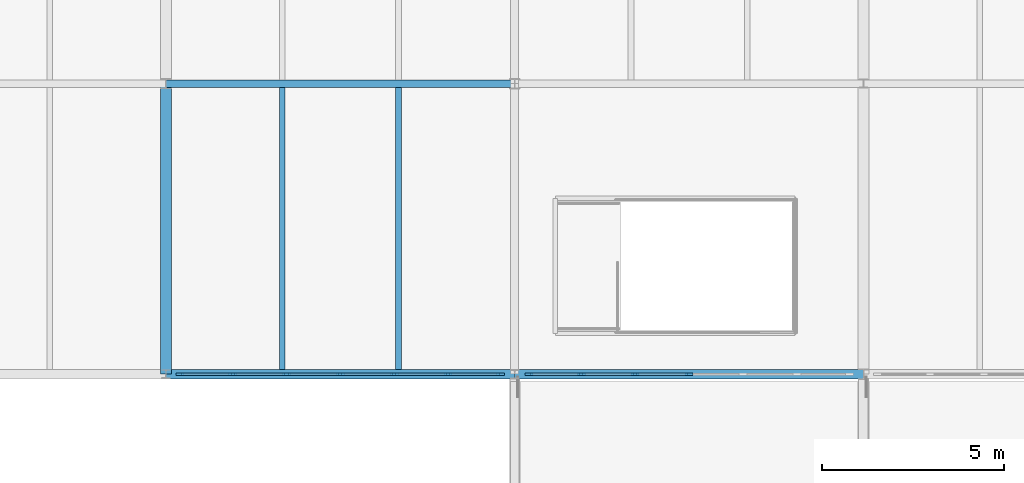
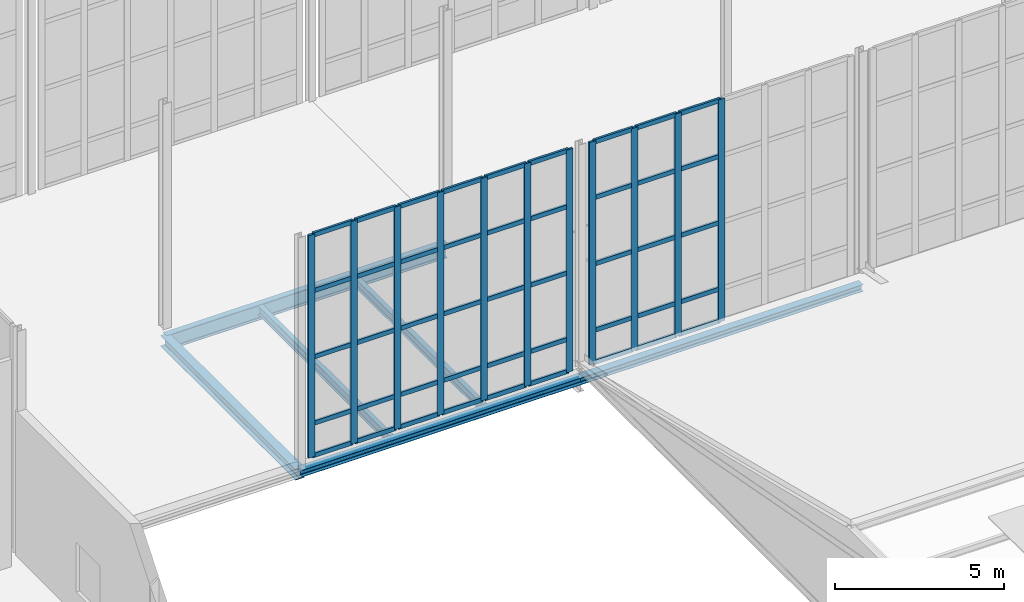
# One storey, part 35 of 73: 56 members, 6 beams, 2 elements without a shape of their own.
"""IFC4 building model written with IfcOpenShell, lengths in metres."""

from ifc_helpers import new_model, si_unit, direction, frame, origin, origin_2d, place, context, subcontext, project, spatial, rectangle, i_section, extrude, material, layer, layer_set, material_profile, profile_set, type_object, element, aggregate, save


model = new_model("IFC4")

# Units and contexts
model_context = context("Model", 3, precision=1e-05, world=origin(), true_north=direction((0.0, 1.0)))
body_context = subcontext(model_context, "Body", "Model", "MODEL_VIEW")
ifc_project = project(units=[si_unit("LENGTHUNIT", "METRE"), si_unit("AREAUNIT", "SQUARE_METRE"), si_unit("VOLUMEUNIT", "CUBIC_METRE"), si_unit("PLANEANGLEUNIT", "RADIAN"), si_unit("MASSUNIT", "GRAM", prefix="KILO")], contexts=[model_context])

# Site, building, storey
site_placement = place(None, origin())
site = spatial("IfcSite", under=ifc_project, at=site_placement, CompositionType="ELEMENT")
building_placement = place(site_placement, origin())
building = spatial("IfcBuilding", under=site, at=building_placement, Name="Alderhovde Museum", CompositionType="ELEMENT")
storey_placement = place(building_placement, frame((0.0, 0.0, 17.39990234375)))
storey = spatial("IfcBuildingStorey", under=building, at=storey_placement, Name="L04", CompositionType="ELEMENT", Elevation=17.39990234375)

# Beams
ifc_material_1 = material(Name="Steel S355J2", Category="steel")
ifc_material_profile_1 = material_profile(ifc_material_1, i_section(OverallWidth=0.300048828125, OverallDepth=0.389892578125, WebThickness=0.010986328125, FlangeThickness=0.01904296875, FilletRadius=0.027099609375, at=origin_2d()), Name="HEA 400")
ifc_profile_set_1 = profile_set([ifc_material_profile_1], Name="Steel S355J2")
beam_type_1 = type_object("IfcBeamType", Name="BM-HEA400", PredefinedType="BEAM", material=ifc_profile_set_1)
beam_1_placement = place(storey_placement, frame((67.199951171875, 72.0, -0.474853515625), z_axis=(0.0, 1.0, 0.0), x_axis=(-1.0, 0.0, 0.0)))
element("IfcBeam", 1, at=beam_1_placement, inside=storey, type_object=beam_type_1, Name="L04 Grid Beam X=67.2 (72.0 TO 80.0)", PredefinedType="BEAM", context=body_context, shape_type="SweptSolid", body=[
    extrude(i_section(OverallWidth=0.300048828125, OverallDepth=0.389892578125, WebThickness=0.010986328125, FlangeThickness=0.01904296875, FilletRadius=0.027099609375, at=origin_2d()), origin(), (0.0, 0.0, 1.0), 8.0),
])
ifc_material_2 = material(Name="Steel S355J2", Category="steel")
ifc_material_profile_2 = material_profile(ifc_material_2, i_section(OverallWidth=0.2099609375, OverallDepth=0.550048828125, WebThickness=0.010986328125, FlangeThickness=0.01708984375, FilletRadius=0.02392578125, at=origin_2d()), Name="IPE 550")
ifc_profile_set_2 = profile_set([ifc_material_profile_2], Name="Steel S355J2")
beam_type_2 = type_object("IfcBeamType", Name="BM-IPE550", PredefinedType="BEAM", material=ifc_profile_set_2)
beam_2_placement = place(storey_placement, frame((67.199951171875, 80.0, -0.554931640625), z_axis=(1.0, 0.0, 0.0), x_axis=(0.0, 1.0, 0.0)))
element("IfcBeam", 2, at=beam_2_placement, inside=storey, type_object=beam_type_2, Name="L04 Grid Beam Y=80.0 (67.2 TO 76.8)", PredefinedType="BEAM", context=body_context, shape_type="SweptSolid", body=[
    extrude(i_section(OverallWidth=0.2099609375, OverallDepth=0.550048828125, WebThickness=0.010986328125, FlangeThickness=0.01708984375, FilletRadius=0.02392578125, at=origin_2d()), origin(), (0.0, 0.0, 1.0), 9.60009765625),
])

# Curtain wall, members
ifc_material_3 = material(Name="Triple-Glazed Bronze-Anodised Curtain Wall", Category="glass")
ifc_layer_1 = layer(ifc_material_3, 0.219970703125)
ifc_layer_set_1 = layer_set([ifc_layer_1], Name="Triple-Glazed Bronze-Anodised Curtain Wall")
curtain_wall_type_1 = type_object("IfcCurtainWallType", Name="CW-STIC-890x805", PredefinedType="USERDEFINED", material=ifc_layer_set_1)
curtain_wall_1_placement = place(storey_placement, origin())
curtain_wall_1 = element("IfcCurtainWall", 3, at=curtain_wall_1_placement, inside=storey, type_object=curtain_wall_type_1, Name="L04 Stick Curtain Wall 80", ObjectType="STICK CURTAIN WALL", PredefinedType="USERDEFINED")
ifc_material_4 = material(Name="Bronze-Anodised Aluminium EN AW-6063-T6", Category="aluminium")
ifc_material_profile_3 = material_profile(ifc_material_4, rectangle(XDim=0.074951171875, YDim=0.219970703125, at=origin_2d()), Name="MULLION 75x220")
ifc_profile_set_3 = profile_set([ifc_material_profile_3], Name="Bronze-Anodised Aluminium EN AW-6063-T6")
member_type_1 = type_object("IfcMemberType", Name="CWM-75x220", PredefinedType="MULLION", material=ifc_profile_set_3)
member_1_placement = place(storey_placement, frame((67.58740234375, 72.0, 0.0), z_axis=(0.0, 0.0, 1.0), x_axis=(0.0, 1.0, 0.0)))
member_1 = element("IfcMember", 4, at=member_1_placement, type_object=member_type_1, Name="CW22 mullion 1", PredefinedType="MULLION", context=body_context, shape_type="SweptSolid", body=[
    extrude(rectangle(XDim=0.074951171875, YDim=0.219970703125, at=origin_2d()), origin(), (0.0, 0.0, 1.0), 8.050048828125),
])
member_2_placement = place(storey_placement, frame((69.033447265625, 72.0, 0.0), z_axis=(0.0, 0.0, 1.0), x_axis=(0.0, 1.0, 0.0)))
member_2 = element("IfcMember", 5, at=member_2_placement, type_object=member_type_1, Name="CW22 mullion 2", PredefinedType="MULLION", context=body_context, shape_type="SweptSolid", body=[
    extrude(rectangle(XDim=0.074951171875, YDim=0.219970703125, at=origin_2d()), origin(), (0.0, 0.0, 1.0), 8.050048828125),
])
member_3_placement = place(storey_placement, frame((70.5166015625, 72.0, 0.0), z_axis=(0.0, 0.0, 1.0), x_axis=(0.0, 1.0, 0.0)))
member_3 = element("IfcMember", 6, at=member_3_placement, type_object=member_type_1, Name="CW22 mullion 3", PredefinedType="MULLION", context=body_context, shape_type="SweptSolid", body=[
    extrude(rectangle(XDim=0.074951171875, YDim=0.219970703125, at=origin_2d()), origin(), (0.0, 0.0, 1.0), 8.050048828125),
])
member_4_placement = place(storey_placement, frame((72.0, 72.0, 0.0), z_axis=(0.0, 0.0, 1.0), x_axis=(0.0, 1.0, 0.0)))
member_4 = element("IfcMember", 7, at=member_4_placement, type_object=member_type_1, Name="CW22 mullion 4", PredefinedType="MULLION", context=body_context, shape_type="SweptSolid", body=[
    extrude(rectangle(XDim=0.074951171875, YDim=0.219970703125, at=origin_2d()), origin(), (0.0, 0.0, 1.0), 8.050048828125),
])
member_5_placement = place(storey_placement, frame((73.4833984375, 72.0, 0.0), z_axis=(0.0, 0.0, 1.0), x_axis=(0.0, 1.0, 0.0)))
member_5 = element("IfcMember", 8, at=member_5_placement, type_object=member_type_1, Name="CW22 mullion 5", PredefinedType="MULLION", context=body_context, shape_type="SweptSolid", body=[
    extrude(rectangle(XDim=0.074951171875, YDim=0.219970703125, at=origin_2d()), origin(), (0.0, 0.0, 1.0), 8.050048828125),
])
member_6_placement = place(storey_placement, frame((74.966552734375, 72.0, 0.0), z_axis=(0.0, 0.0, 1.0), x_axis=(0.0, 1.0, 0.0)))
member_6 = element("IfcMember", 9, at=member_6_placement, type_object=member_type_1, Name="CW22 mullion 6", PredefinedType="MULLION", context=body_context, shape_type="SweptSolid", body=[
    extrude(rectangle(XDim=0.074951171875, YDim=0.219970703125, at=origin_2d()), origin(), (0.0, 0.0, 1.0), 8.050048828125),
])
member_7_placement = place(storey_placement, frame((76.41259765625, 72.0, 0.0), z_axis=(0.0, 0.0, 1.0), x_axis=(0.0, 1.0, 0.0)))
member_7 = element("IfcMember", 10, at=member_7_placement, type_object=member_type_1, Name="CW22 mullion 7", PredefinedType="MULLION", context=body_context, shape_type="SweptSolid", body=[
    extrude(rectangle(XDim=0.074951171875, YDim=0.219970703125, at=origin_2d()), origin(), (0.0, 0.0, 1.0), 8.050048828125),
])

ifc_material_5 = material(Name="Triple-Glazed Bronze-Anodised Curtain Wall", Category="glass")
ifc_layer_2 = layer(ifc_material_5, 0.219970703125)
ifc_layer_set_2 = layer_set([ifc_layer_2], Name="Triple-Glazed Bronze-Anodised Curtain Wall")
curtain_wall_type_2 = type_object("IfcCurtainWallType", Name="CW-UNIT-890x805", PredefinedType="USERDEFINED", material=ifc_layer_set_2)
curtain_wall_2_placement = place(storey_placement, origin())
curtain_wall_2 = element("IfcCurtainWall", 11, at=curtain_wall_2_placement, inside=storey, type_object=curtain_wall_type_2, Name="L04 Unitised Curtain Wall 82", ObjectType="UNITISED CURTAIN WALL", PredefinedType="USERDEFINED")
member_8_placement = place(storey_placement, frame((77.1875, 72.0, 0.0), z_axis=(0.0, 0.0, 1.0), x_axis=(0.0, 1.0, 0.0)))
member_8 = element("IfcMember", 12, at=member_8_placement, type_object=member_type_1, Name="CW21 mullion 1", PredefinedType="MULLION", context=body_context, shape_type="SweptSolid", body=[
    extrude(rectangle(XDim=0.074951171875, YDim=0.219970703125, at=origin_2d()), origin(), (0.0, 0.0, 1.0), 8.050048828125),
])
member_9_placement = place(storey_placement, frame((78.63330078125, 72.0, 0.0), z_axis=(0.0, 0.0, 1.0), x_axis=(0.0, 1.0, 0.0)))
member_9 = element("IfcMember", 13, at=member_9_placement, type_object=member_type_1, Name="CW21 mullion 2", PredefinedType="MULLION", context=body_context, shape_type="SweptSolid", body=[
    extrude(rectangle(XDim=0.074951171875, YDim=0.219970703125, at=origin_2d()), origin(), (0.0, 0.0, 1.0), 8.050048828125),
])
member_10_placement = place(storey_placement, frame((80.11669921875, 72.0, 0.0), z_axis=(0.0, 0.0, 1.0), x_axis=(0.0, 1.0, 0.0)))
member_10 = element("IfcMember", 14, at=member_10_placement, type_object=member_type_1, Name="CW21 mullion 3", PredefinedType="MULLION", context=body_context, shape_type="SweptSolid", body=[
    extrude(rectangle(XDim=0.074951171875, YDim=0.219970703125, at=origin_2d()), origin(), (0.0, 0.0, 1.0), 8.050048828125),
])
member_11_placement = place(storey_placement, frame((81.60009765625, 72.0, 0.0), z_axis=(0.0, 0.0, 1.0), x_axis=(0.0, 1.0, 0.0)))
member_11 = element("IfcMember", 15, at=member_11_placement, type_object=member_type_1, Name="CW21 mullion 4", PredefinedType="MULLION", context=body_context, shape_type="SweptSolid", body=[
    extrude(rectangle(XDim=0.074951171875, YDim=0.219970703125, at=origin_2d()), origin(), (0.0, 0.0, 1.0), 8.050048828125),
])

# Member
ifc_material_6 = material(Name="Bronze-Anodised Aluminium EN AW-6063-T6", Category="aluminium")
ifc_material_profile_4 = material_profile(ifc_material_6, rectangle(XDim=0.074951171875, YDim=0.159912109375, at=origin_2d()), Name="TRANSOM 75x160")
ifc_profile_set_4 = profile_set([ifc_material_profile_4], Name="Bronze-Anodised Aluminium EN AW-6063-T6")
member_type_2 = type_object("IfcMemberType", Name="CWT-75x160", PredefinedType="USERDEFINED", material=ifc_profile_set_4)
member_12_placement = place(storey_placement, frame((67.625, 72.0, 0.03759765625), z_axis=(1.0, 0.0, 0.0), x_axis=(0.0, 1.0, 0.0)))
member_12 = element("IfcMember", 16, at=member_12_placement, type_object=member_type_2, Name="CW22 transom 1.1", ObjectType="TRANSOM", PredefinedType="USERDEFINED", context=body_context, shape_type="SweptSolid", body=[
    extrude(rectangle(XDim=0.074951171875, YDim=0.159912109375, at=origin_2d()), origin(), (0.0, 0.0, 1.0), 1.370849609375),
])

member_13_placement = place(storey_placement, frame((67.625, 72.0, 1.2001953125), z_axis=(1.0, 0.0, 0.0), x_axis=(0.0, 1.0, 0.0)))
member_13 = element("IfcMember", 17, at=member_13_placement, type_object=member_type_2, Name="CW22 transom 1.2", ObjectType="TRANSOM", PredefinedType="USERDEFINED", context=body_context, shape_type="SweptSolid", body=[
    extrude(rectangle(XDim=0.074951171875, YDim=0.159912109375, at=origin_2d()), origin(), (0.0, 0.0, 1.0), 1.370849609375),
])

member_14_placement = place(storey_placement, frame((67.625, 72.0, 3.60009765625), z_axis=(1.0, 0.0, 0.0), x_axis=(0.0, 1.0, 0.0)))
member_14 = element("IfcMember", 18, at=member_14_placement, type_object=member_type_2, Name="CW22 transom 1.3", ObjectType="TRANSOM", PredefinedType="USERDEFINED", context=body_context, shape_type="SweptSolid", body=[
    extrude(rectangle(XDim=0.074951171875, YDim=0.159912109375, at=origin_2d()), origin(), (0.0, 0.0, 1.0), 1.370849609375),
])

member_15_placement = place(storey_placement, frame((67.625, 72.0, 6.0), z_axis=(1.0, 0.0, 0.0), x_axis=(0.0, 1.0, 0.0)))
member_15 = element("IfcMember", 19, at=member_15_placement, type_object=member_type_2, Name="CW22 transom 1.4", ObjectType="TRANSOM", PredefinedType="USERDEFINED", context=body_context, shape_type="SweptSolid", body=[
    extrude(rectangle(XDim=0.074951171875, YDim=0.159912109375, at=origin_2d()), origin(), (0.0, 0.0, 1.0), 1.370849609375),
])

member_16_placement = place(storey_placement, frame((67.625, 72.0, 8.0126953125), z_axis=(1.0, 0.0, 0.0), x_axis=(0.0, 1.0, 0.0)))
member_16 = element("IfcMember", 20, at=member_16_placement, type_object=member_type_2, Name="CW22 transom 1.5", ObjectType="TRANSOM", PredefinedType="USERDEFINED", context=body_context, shape_type="SweptSolid", body=[
    extrude(rectangle(XDim=0.074951171875, YDim=0.159912109375, at=origin_2d()), origin(), (0.0, 0.0, 1.0), 1.370849609375),
])

member_17_placement = place(storey_placement, frame((69.07080078125, 72.0, 0.03759765625), z_axis=(1.0, 0.0, 0.0), x_axis=(0.0, 1.0, 0.0)))
member_17 = element("IfcMember", 21, at=member_17_placement, type_object=member_type_2, Name="CW22 transom 2.1", ObjectType="TRANSOM", PredefinedType="USERDEFINED", context=body_context, shape_type="SweptSolid", body=[
    extrude(rectangle(XDim=0.074951171875, YDim=0.159912109375, at=origin_2d()), origin(), (0.0, 0.0, 1.0), 1.408447265625),
])

member_18_placement = place(storey_placement, frame((69.07080078125, 72.0, 1.2001953125), z_axis=(1.0, 0.0, 0.0), x_axis=(0.0, 1.0, 0.0)))
member_18 = element("IfcMember", 22, at=member_18_placement, type_object=member_type_2, Name="CW22 transom 2.2", ObjectType="TRANSOM", PredefinedType="USERDEFINED", context=body_context, shape_type="SweptSolid", body=[
    extrude(rectangle(XDim=0.074951171875, YDim=0.159912109375, at=origin_2d()), origin(), (0.0, 0.0, 1.0), 1.408447265625),
])

member_19_placement = place(storey_placement, frame((69.07080078125, 72.0, 3.60009765625), z_axis=(1.0, 0.0, 0.0), x_axis=(0.0, 1.0, 0.0)))
member_19 = element("IfcMember", 23, at=member_19_placement, type_object=member_type_2, Name="CW22 transom 2.3", ObjectType="TRANSOM", PredefinedType="USERDEFINED", context=body_context, shape_type="SweptSolid", body=[
    extrude(rectangle(XDim=0.074951171875, YDim=0.159912109375, at=origin_2d()), origin(), (0.0, 0.0, 1.0), 1.408447265625),
])

member_20_placement = place(storey_placement, frame((69.07080078125, 72.0, 6.0), z_axis=(1.0, 0.0, 0.0), x_axis=(0.0, 1.0, 0.0)))
member_20 = element("IfcMember", 24, at=member_20_placement, type_object=member_type_2, Name="CW22 transom 2.4", ObjectType="TRANSOM", PredefinedType="USERDEFINED", context=body_context, shape_type="SweptSolid", body=[
    extrude(rectangle(XDim=0.074951171875, YDim=0.159912109375, at=origin_2d()), origin(), (0.0, 0.0, 1.0), 1.408447265625),
])

member_21_placement = place(storey_placement, frame((69.07080078125, 72.0, 8.0126953125), z_axis=(1.0, 0.0, 0.0), x_axis=(0.0, 1.0, 0.0)))
member_21 = element("IfcMember", 25, at=member_21_placement, type_object=member_type_2, Name="CW22 transom 2.5", ObjectType="TRANSOM", PredefinedType="USERDEFINED", context=body_context, shape_type="SweptSolid", body=[
    extrude(rectangle(XDim=0.074951171875, YDim=0.159912109375, at=origin_2d()), origin(), (0.0, 0.0, 1.0), 1.408447265625),
])

member_22_placement = place(storey_placement, frame((70.55419921875, 72.0, 0.03759765625), z_axis=(1.0, 0.0, 0.0), x_axis=(0.0, 1.0, 0.0)))
member_22 = element("IfcMember", 26, at=member_22_placement, type_object=member_type_2, Name="CW22 transom 3.1", ObjectType="TRANSOM", PredefinedType="USERDEFINED", context=body_context, shape_type="SweptSolid", body=[
    extrude(rectangle(XDim=0.074951171875, YDim=0.159912109375, at=origin_2d()), origin(), (0.0, 0.0, 1.0), 1.408203125),
])

member_23_placement = place(storey_placement, frame((70.55419921875, 72.0, 1.2001953125), z_axis=(1.0, 0.0, 0.0), x_axis=(0.0, 1.0, 0.0)))
member_23 = element("IfcMember", 27, at=member_23_placement, type_object=member_type_2, Name="CW22 transom 3.2", ObjectType="TRANSOM", PredefinedType="USERDEFINED", context=body_context, shape_type="SweptSolid", body=[
    extrude(rectangle(XDim=0.074951171875, YDim=0.159912109375, at=origin_2d()), origin(), (0.0, 0.0, 1.0), 1.408203125),
])

member_24_placement = place(storey_placement, frame((70.55419921875, 72.0, 3.60009765625), z_axis=(1.0, 0.0, 0.0), x_axis=(0.0, 1.0, 0.0)))
member_24 = element("IfcMember", 28, at=member_24_placement, type_object=member_type_2, Name="CW22 transom 3.3", ObjectType="TRANSOM", PredefinedType="USERDEFINED", context=body_context, shape_type="SweptSolid", body=[
    extrude(rectangle(XDim=0.074951171875, YDim=0.159912109375, at=origin_2d()), origin(), (0.0, 0.0, 1.0), 1.408203125),
])

member_25_placement = place(storey_placement, frame((70.55419921875, 72.0, 6.0), z_axis=(1.0, 0.0, 0.0), x_axis=(0.0, 1.0, 0.0)))
member_25 = element("IfcMember", 29, at=member_25_placement, type_object=member_type_2, Name="CW22 transom 3.4", ObjectType="TRANSOM", PredefinedType="USERDEFINED", context=body_context, shape_type="SweptSolid", body=[
    extrude(rectangle(XDim=0.074951171875, YDim=0.159912109375, at=origin_2d()), origin(), (0.0, 0.0, 1.0), 1.408203125),
])

member_26_placement = place(storey_placement, frame((70.55419921875, 72.0, 8.0126953125), z_axis=(1.0, 0.0, 0.0), x_axis=(0.0, 1.0, 0.0)))
member_26 = element("IfcMember", 30, at=member_26_placement, type_object=member_type_2, Name="CW22 transom 3.5", ObjectType="TRANSOM", PredefinedType="USERDEFINED", context=body_context, shape_type="SweptSolid", body=[
    extrude(rectangle(XDim=0.074951171875, YDim=0.159912109375, at=origin_2d()), origin(), (0.0, 0.0, 1.0), 1.408203125),
])

member_27_placement = place(storey_placement, frame((72.03759765625, 72.0, 0.03759765625), z_axis=(1.0, 0.0, 0.0), x_axis=(0.0, 1.0, 0.0)))
member_27 = element("IfcMember", 31, at=member_27_placement, type_object=member_type_2, Name="CW22 transom 4.1", ObjectType="TRANSOM", PredefinedType="USERDEFINED", context=body_context, shape_type="SweptSolid", body=[
    extrude(rectangle(XDim=0.074951171875, YDim=0.159912109375, at=origin_2d()), origin(), (0.0, 0.0, 1.0), 1.408203125),
])

member_28_placement = place(storey_placement, frame((72.03759765625, 72.0, 1.2001953125), z_axis=(1.0, 0.0, 0.0), x_axis=(0.0, 1.0, 0.0)))
member_28 = element("IfcMember", 32, at=member_28_placement, type_object=member_type_2, Name="CW22 transom 4.2", ObjectType="TRANSOM", PredefinedType="USERDEFINED", context=body_context, shape_type="SweptSolid", body=[
    extrude(rectangle(XDim=0.074951171875, YDim=0.159912109375, at=origin_2d()), origin(), (0.0, 0.0, 1.0), 1.408203125),
])

member_29_placement = place(storey_placement, frame((72.03759765625, 72.0, 3.60009765625), z_axis=(1.0, 0.0, 0.0), x_axis=(0.0, 1.0, 0.0)))
member_29 = element("IfcMember", 33, at=member_29_placement, type_object=member_type_2, Name="CW22 transom 4.3", ObjectType="TRANSOM", PredefinedType="USERDEFINED", context=body_context, shape_type="SweptSolid", body=[
    extrude(rectangle(XDim=0.074951171875, YDim=0.159912109375, at=origin_2d()), origin(), (0.0, 0.0, 1.0), 1.408203125),
])

member_30_placement = place(storey_placement, frame((72.03759765625, 72.0, 6.0), z_axis=(1.0, 0.0, 0.0), x_axis=(0.0, 1.0, 0.0)))
member_30 = element("IfcMember", 34, at=member_30_placement, type_object=member_type_2, Name="CW22 transom 4.4", ObjectType="TRANSOM", PredefinedType="USERDEFINED", context=body_context, shape_type="SweptSolid", body=[
    extrude(rectangle(XDim=0.074951171875, YDim=0.159912109375, at=origin_2d()), origin(), (0.0, 0.0, 1.0), 1.408203125),
])

member_31_placement = place(storey_placement, frame((72.03759765625, 72.0, 8.0126953125), z_axis=(1.0, 0.0, 0.0), x_axis=(0.0, 1.0, 0.0)))
member_31 = element("IfcMember", 35, at=member_31_placement, type_object=member_type_2, Name="CW22 transom 4.5", ObjectType="TRANSOM", PredefinedType="USERDEFINED", context=body_context, shape_type="SweptSolid", body=[
    extrude(rectangle(XDim=0.074951171875, YDim=0.159912109375, at=origin_2d()), origin(), (0.0, 0.0, 1.0), 1.408203125),
])

member_32_placement = place(storey_placement, frame((73.520751953125, 72.0, 0.03759765625), z_axis=(1.0, 0.0, 0.0), x_axis=(0.0, 1.0, 0.0)))
member_32 = element("IfcMember", 36, at=member_32_placement, type_object=member_type_2, Name="CW22 transom 5.1", ObjectType="TRANSOM", PredefinedType="USERDEFINED", context=body_context, shape_type="SweptSolid", body=[
    extrude(rectangle(XDim=0.074951171875, YDim=0.159912109375, at=origin_2d()), origin(), (0.0, 0.0, 1.0), 1.408447265625),
])

member_33_placement = place(storey_placement, frame((73.520751953125, 72.0, 1.2001953125), z_axis=(1.0, 0.0, 0.0), x_axis=(0.0, 1.0, 0.0)))
member_33 = element("IfcMember", 37, at=member_33_placement, type_object=member_type_2, Name="CW22 transom 5.2", ObjectType="TRANSOM", PredefinedType="USERDEFINED", context=body_context, shape_type="SweptSolid", body=[
    extrude(rectangle(XDim=0.074951171875, YDim=0.159912109375, at=origin_2d()), origin(), (0.0, 0.0, 1.0), 1.408447265625),
])

member_34_placement = place(storey_placement, frame((73.520751953125, 72.0, 3.60009765625), z_axis=(1.0, 0.0, 0.0), x_axis=(0.0, 1.0, 0.0)))
member_34 = element("IfcMember", 38, at=member_34_placement, type_object=member_type_2, Name="CW22 transom 5.3", ObjectType="TRANSOM", PredefinedType="USERDEFINED", context=body_context, shape_type="SweptSolid", body=[
    extrude(rectangle(XDim=0.074951171875, YDim=0.159912109375, at=origin_2d()), origin(), (0.0, 0.0, 1.0), 1.408447265625),
])

member_35_placement = place(storey_placement, frame((73.520751953125, 72.0, 6.0), z_axis=(1.0, 0.0, 0.0), x_axis=(0.0, 1.0, 0.0)))
member_35 = element("IfcMember", 39, at=member_35_placement, type_object=member_type_2, Name="CW22 transom 5.4", ObjectType="TRANSOM", PredefinedType="USERDEFINED", context=body_context, shape_type="SweptSolid", body=[
    extrude(rectangle(XDim=0.074951171875, YDim=0.159912109375, at=origin_2d()), origin(), (0.0, 0.0, 1.0), 1.408447265625),
])

member_36_placement = place(storey_placement, frame((73.520751953125, 72.0, 8.0126953125), z_axis=(1.0, 0.0, 0.0), x_axis=(0.0, 1.0, 0.0)))
member_36 = element("IfcMember", 40, at=member_36_placement, type_object=member_type_2, Name="CW22 transom 5.5", ObjectType="TRANSOM", PredefinedType="USERDEFINED", context=body_context, shape_type="SweptSolid", body=[
    extrude(rectangle(XDim=0.074951171875, YDim=0.159912109375, at=origin_2d()), origin(), (0.0, 0.0, 1.0), 1.408447265625),
])

member_37_placement = place(storey_placement, frame((75.004150390625, 72.0, 0.03759765625), z_axis=(1.0, 0.0, 0.0), x_axis=(0.0, 1.0, 0.0)))
member_37 = element("IfcMember", 41, at=member_37_placement, type_object=member_type_2, Name="CW22 transom 6.1", ObjectType="TRANSOM", PredefinedType="USERDEFINED", context=body_context, shape_type="SweptSolid", body=[
    extrude(rectangle(XDim=0.074951171875, YDim=0.159912109375, at=origin_2d()), origin(), (0.0, 0.0, 1.0), 1.370849609375),
])

member_38_placement = place(storey_placement, frame((75.004150390625, 72.0, 1.2001953125), z_axis=(1.0, 0.0, 0.0), x_axis=(0.0, 1.0, 0.0)))
member_38 = element("IfcMember", 42, at=member_38_placement, type_object=member_type_2, Name="CW22 transom 6.2", ObjectType="TRANSOM", PredefinedType="USERDEFINED", context=body_context, shape_type="SweptSolid", body=[
    extrude(rectangle(XDim=0.074951171875, YDim=0.159912109375, at=origin_2d()), origin(), (0.0, 0.0, 1.0), 1.370849609375),
])

member_39_placement = place(storey_placement, frame((75.004150390625, 72.0, 3.60009765625), z_axis=(1.0, 0.0, 0.0), x_axis=(0.0, 1.0, 0.0)))
member_39 = element("IfcMember", 43, at=member_39_placement, type_object=member_type_2, Name="CW22 transom 6.3", ObjectType="TRANSOM", PredefinedType="USERDEFINED", context=body_context, shape_type="SweptSolid", body=[
    extrude(rectangle(XDim=0.074951171875, YDim=0.159912109375, at=origin_2d()), origin(), (0.0, 0.0, 1.0), 1.370849609375),
])

member_40_placement = place(storey_placement, frame((75.004150390625, 72.0, 6.0), z_axis=(1.0, 0.0, 0.0), x_axis=(0.0, 1.0, 0.0)))
member_40 = element("IfcMember", 44, at=member_40_placement, type_object=member_type_2, Name="CW22 transom 6.4", ObjectType="TRANSOM", PredefinedType="USERDEFINED", context=body_context, shape_type="SweptSolid", body=[
    extrude(rectangle(XDim=0.074951171875, YDim=0.159912109375, at=origin_2d()), origin(), (0.0, 0.0, 1.0), 1.370849609375),
])

member_41_placement = place(storey_placement, frame((75.004150390625, 72.0, 8.0126953125), z_axis=(1.0, 0.0, 0.0), x_axis=(0.0, 1.0, 0.0)))
member_41 = element("IfcMember", 45, at=member_41_placement, type_object=member_type_2, Name="CW22 transom 6.5", ObjectType="TRANSOM", PredefinedType="USERDEFINED", context=body_context, shape_type="SweptSolid", body=[
    extrude(rectangle(XDim=0.074951171875, YDim=0.159912109375, at=origin_2d()), origin(), (0.0, 0.0, 1.0), 1.370849609375),
])

aggregate(curtain_wall_1, [member_1, member_2, member_3, member_4, member_5, member_6, member_7, member_12, member_13, member_14, member_15, member_16, member_17, member_18, member_19, member_20, member_21, member_22, member_23, member_24, member_25, member_26, member_27, member_28, member_29, member_30, member_31, member_32, member_33, member_34, member_35, member_36, member_37, member_38, member_39, member_40, member_41])

member_42_placement = place(storey_placement, frame((77.22509765625, 72.0, 0.03759765625), z_axis=(1.0, 0.0, 0.0), x_axis=(0.0, 1.0, 0.0)))
member_42 = element("IfcMember", 46, at=member_42_placement, type_object=member_type_2, Name="CW21 transom 1.1", ObjectType="TRANSOM", PredefinedType="USERDEFINED", context=body_context, shape_type="SweptSolid", body=[
    extrude(rectangle(XDim=0.074951171875, YDim=0.159912109375, at=origin_2d()), origin(), (0.0, 0.0, 1.0), 1.370849609375),
])

member_43_placement = place(storey_placement, frame((77.22509765625, 72.0, 1.2001953125), z_axis=(1.0, 0.0, 0.0), x_axis=(0.0, 1.0, 0.0)))
member_43 = element("IfcMember", 47, at=member_43_placement, type_object=member_type_2, Name="CW21 transom 1.2", ObjectType="TRANSOM", PredefinedType="USERDEFINED", context=body_context, shape_type="SweptSolid", body=[
    extrude(rectangle(XDim=0.074951171875, YDim=0.159912109375, at=origin_2d()), origin(), (0.0, 0.0, 1.0), 1.370849609375),
])

member_44_placement = place(storey_placement, frame((77.22509765625, 72.0, 3.60009765625), z_axis=(1.0, 0.0, 0.0), x_axis=(0.0, 1.0, 0.0)))
member_44 = element("IfcMember", 48, at=member_44_placement, type_object=member_type_2, Name="CW21 transom 1.3", ObjectType="TRANSOM", PredefinedType="USERDEFINED", context=body_context, shape_type="SweptSolid", body=[
    extrude(rectangle(XDim=0.074951171875, YDim=0.159912109375, at=origin_2d()), origin(), (0.0, 0.0, 1.0), 1.370849609375),
])

member_45_placement = place(storey_placement, frame((77.22509765625, 72.0, 6.0), z_axis=(1.0, 0.0, 0.0), x_axis=(0.0, 1.0, 0.0)))
member_45 = element("IfcMember", 49, at=member_45_placement, type_object=member_type_2, Name="CW21 transom 1.4", ObjectType="TRANSOM", PredefinedType="USERDEFINED", context=body_context, shape_type="SweptSolid", body=[
    extrude(rectangle(XDim=0.074951171875, YDim=0.159912109375, at=origin_2d()), origin(), (0.0, 0.0, 1.0), 1.370849609375),
])

member_46_placement = place(storey_placement, frame((77.22509765625, 72.0, 8.0126953125), z_axis=(1.0, 0.0, 0.0), x_axis=(0.0, 1.0, 0.0)))
member_46 = element("IfcMember", 50, at=member_46_placement, type_object=member_type_2, Name="CW21 transom 1.5", ObjectType="TRANSOM", PredefinedType="USERDEFINED", context=body_context, shape_type="SweptSolid", body=[
    extrude(rectangle(XDim=0.074951171875, YDim=0.159912109375, at=origin_2d()), origin(), (0.0, 0.0, 1.0), 1.370849609375),
])

member_47_placement = place(storey_placement, frame((78.6708984375, 72.0, 0.03759765625), z_axis=(1.0, 0.0, 0.0), x_axis=(0.0, 1.0, 0.0)))
member_47 = element("IfcMember", 51, at=member_47_placement, type_object=member_type_2, Name="CW21 transom 2.1", ObjectType="TRANSOM", PredefinedType="USERDEFINED", context=body_context, shape_type="SweptSolid", body=[
    extrude(rectangle(XDim=0.074951171875, YDim=0.159912109375, at=origin_2d()), origin(), (0.0, 0.0, 1.0), 1.408203125),
])

member_48_placement = place(storey_placement, frame((78.6708984375, 72.0, 1.2001953125), z_axis=(1.0, 0.0, 0.0), x_axis=(0.0, 1.0, 0.0)))
member_48 = element("IfcMember", 52, at=member_48_placement, type_object=member_type_2, Name="CW21 transom 2.2", ObjectType="TRANSOM", PredefinedType="USERDEFINED", context=body_context, shape_type="SweptSolid", body=[
    extrude(rectangle(XDim=0.074951171875, YDim=0.159912109375, at=origin_2d()), origin(), (0.0, 0.0, 1.0), 1.408203125),
])

member_49_placement = place(storey_placement, frame((78.6708984375, 72.0, 3.60009765625), z_axis=(1.0, 0.0, 0.0), x_axis=(0.0, 1.0, 0.0)))
member_49 = element("IfcMember", 53, at=member_49_placement, type_object=member_type_2, Name="CW21 transom 2.3", ObjectType="TRANSOM", PredefinedType="USERDEFINED", context=body_context, shape_type="SweptSolid", body=[
    extrude(rectangle(XDim=0.074951171875, YDim=0.159912109375, at=origin_2d()), origin(), (0.0, 0.0, 1.0), 1.408203125),
])

member_50_placement = place(storey_placement, frame((78.6708984375, 72.0, 6.0), z_axis=(1.0, 0.0, 0.0), x_axis=(0.0, 1.0, 0.0)))
member_50 = element("IfcMember", 54, at=member_50_placement, type_object=member_type_2, Name="CW21 transom 2.4", ObjectType="TRANSOM", PredefinedType="USERDEFINED", context=body_context, shape_type="SweptSolid", body=[
    extrude(rectangle(XDim=0.074951171875, YDim=0.159912109375, at=origin_2d()), origin(), (0.0, 0.0, 1.0), 1.408203125),
])

member_51_placement = place(storey_placement, frame((78.6708984375, 72.0, 8.0126953125), z_axis=(1.0, 0.0, 0.0), x_axis=(0.0, 1.0, 0.0)))
member_51 = element("IfcMember", 55, at=member_51_placement, type_object=member_type_2, Name="CW21 transom 2.5", ObjectType="TRANSOM", PredefinedType="USERDEFINED", context=body_context, shape_type="SweptSolid", body=[
    extrude(rectangle(XDim=0.074951171875, YDim=0.159912109375, at=origin_2d()), origin(), (0.0, 0.0, 1.0), 1.408203125),
])

member_52_placement = place(storey_placement, frame((80.154052734375, 72.0, 0.03759765625), z_axis=(1.0, 0.0, 0.0), x_axis=(0.0, 1.0, 0.0)))
member_52 = element("IfcMember", 56, at=member_52_placement, type_object=member_type_2, Name="CW21 transom 3.1", ObjectType="TRANSOM", PredefinedType="USERDEFINED", context=body_context, shape_type="SweptSolid", body=[
    extrude(rectangle(XDim=0.074951171875, YDim=0.159912109375, at=origin_2d()), origin(), (0.0, 0.0, 1.0), 1.408447265625),
])

member_53_placement = place(storey_placement, frame((80.154052734375, 72.0, 1.2001953125), z_axis=(1.0, 0.0, 0.0), x_axis=(0.0, 1.0, 0.0)))
member_53 = element("IfcMember", 57, at=member_53_placement, type_object=member_type_2, Name="CW21 transom 3.2", ObjectType="TRANSOM", PredefinedType="USERDEFINED", context=body_context, shape_type="SweptSolid", body=[
    extrude(rectangle(XDim=0.074951171875, YDim=0.159912109375, at=origin_2d()), origin(), (0.0, 0.0, 1.0), 1.408447265625),
])

member_54_placement = place(storey_placement, frame((80.154052734375, 72.0, 3.60009765625), z_axis=(1.0, 0.0, 0.0), x_axis=(0.0, 1.0, 0.0)))
member_54 = element("IfcMember", 58, at=member_54_placement, type_object=member_type_2, Name="CW21 transom 3.3", ObjectType="TRANSOM", PredefinedType="USERDEFINED", context=body_context, shape_type="SweptSolid", body=[
    extrude(rectangle(XDim=0.074951171875, YDim=0.159912109375, at=origin_2d()), origin(), (0.0, 0.0, 1.0), 1.408447265625),
])

member_55_placement = place(storey_placement, frame((80.154052734375, 72.0, 6.0), z_axis=(1.0, 0.0, 0.0), x_axis=(0.0, 1.0, 0.0)))
member_55 = element("IfcMember", 59, at=member_55_placement, type_object=member_type_2, Name="CW21 transom 3.4", ObjectType="TRANSOM", PredefinedType="USERDEFINED", context=body_context, shape_type="SweptSolid", body=[
    extrude(rectangle(XDim=0.074951171875, YDim=0.159912109375, at=origin_2d()), origin(), (0.0, 0.0, 1.0), 1.408447265625),
])

member_56_placement = place(storey_placement, frame((80.154052734375, 72.0, 8.0126953125), z_axis=(1.0, 0.0, 0.0), x_axis=(0.0, 1.0, 0.0)))
member_56 = element("IfcMember", 60, at=member_56_placement, type_object=member_type_2, Name="CW21 transom 3.5", ObjectType="TRANSOM", PredefinedType="USERDEFINED", context=body_context, shape_type="SweptSolid", body=[
    extrude(rectangle(XDim=0.074951171875, YDim=0.159912109375, at=origin_2d()), origin(), (0.0, 0.0, 1.0), 1.408447265625),
])

aggregate(curtain_wall_2, [member_8, member_9, member_10, member_11, member_42, member_43, member_44, member_45, member_46, member_47, member_48, member_49, member_50, member_51, member_52, member_53, member_54, member_55, member_56])

# Beams
ifc_material_7 = material(Name="Steel S355J2", Category="steel")
ifc_material_profile_5 = material_profile(ifc_material_7, i_section(OverallWidth=0.159912109375, OverallDepth=0.330078125, WebThickness=0.007568359375, FlangeThickness=0.011474609375, FilletRadius=0.01806640625, at=origin_2d()), Name="IPE 330")
ifc_profile_set_5 = profile_set([ifc_material_profile_5], Name="Steel S355J2")
beam_type_3 = type_object("IfcBeamType", Name="JST-IPE330", PredefinedType="JOIST", material=ifc_profile_set_5)
for number, where, z_axis, x_axis, name in (
    (61, (70.39990234375, 72.1298828125, -0.44482421875), (0.0, 1.0, 0.0), (-1.0, 0.0, 0.0), "L04 Composite Joist X=70.4 (72.0 TO 80.0)"),
    (62, (73.60009765625, 72.1298828125, -0.44482421875), (0.0, 1.0, 0.0), (-1.0, 0.0, 0.0), "L04 Composite Joist X=73.6 (72.0 TO 80.0)"),
):
    element("IfcBeam", number, at=place(storey_placement, frame(where, z_axis=z_axis, x_axis=x_axis)), inside=storey, type_object=beam_type_3, Name=name, PredefinedType="JOIST", context=body_context, shape_type="SweptSolid", body=[
        extrude(i_section(OverallWidth=0.159912109375, OverallDepth=0.330078125, WebThickness=0.007568359375, FlangeThickness=0.011474609375, FilletRadius=0.01806640625, at=origin_2d()), origin(), (0.0, 0.0, 1.0), 7.76513671875),
    ])
ifc_material_8 = material(Name="Steel S355J2", Category="steel")
ifc_material_profile_6 = material_profile(ifc_material_8, i_section(OverallWidth=0.260009765625, OverallDepth=0.25, WebThickness=0.007568359375, FlangeThickness=0.012451171875, FilletRadius=0.02392578125, at=origin_2d()), Name="HEA 260")
ifc_profile_set_6 = profile_set([ifc_material_profile_6], Name="Steel S355J2")
beam_type_4 = type_object("IfcBeamType", Name="SPD-HEA260", PredefinedType="SPANDREL", material=ifc_profile_set_6)
beam_3_placement = place(storey_placement, frame((67.199951171875, 72.0, -0.40478515625), z_axis=(1.0, 0.0, 0.0), x_axis=(0.0, 1.0, 0.0)))
element("IfcBeam", 63, at=beam_3_placement, inside=storey, type_object=beam_type_4, Name="L04 Grid Beam Y=72.0 (67.2 TO 76.8)", PredefinedType="SPANDREL", context=body_context, shape_type="SweptSolid", body=[
    extrude(i_section(OverallWidth=0.260009765625, OverallDepth=0.25, WebThickness=0.007568359375, FlangeThickness=0.012451171875, FilletRadius=0.02392578125, at=origin_2d()), origin(), (0.0, 0.0, 1.0), 9.60009765625),
])
beam_4_placement = place(storey_placement, frame((76.800048828125, 72.0, -0.40478515625), z_axis=(1.0, 0.0, 0.0), x_axis=(0.0, 1.0, 0.0)))
element("IfcBeam", 64, at=beam_4_placement, inside=storey, type_object=beam_type_4, Name="L04 Grid Beam Y=72.0 (76.8 TO 86.4)", PredefinedType="SPANDREL", context=body_context, shape_type="SweptSolid", body=[
    extrude(i_section(OverallWidth=0.260009765625, OverallDepth=0.25, WebThickness=0.007568359375, FlangeThickness=0.012451171875, FilletRadius=0.02392578125, at=origin_2d()), origin(), (0.0, 0.0, 1.0), 9.599853515625),
])

save(model, "model.ifc")
